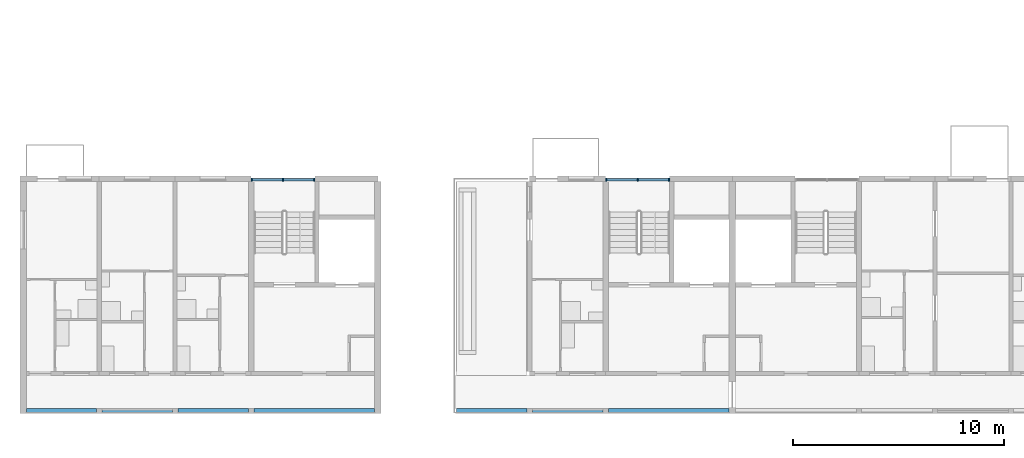
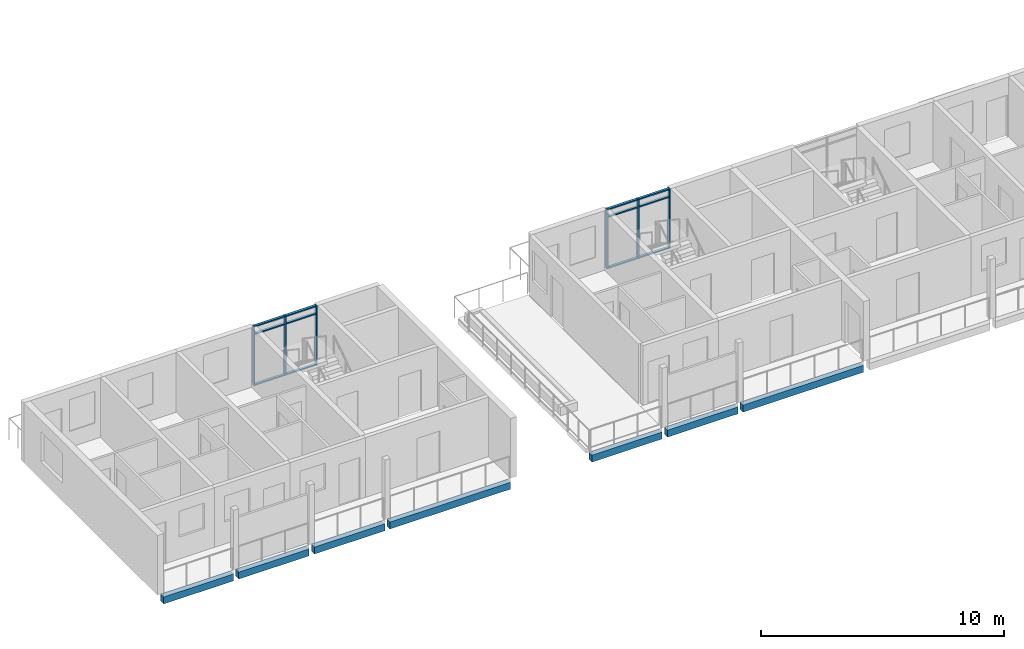
# One storey, part 4 of 64: 18 members, 7 beams, 2 elements without a shape of their own.
"""IFC4 building model written with IfcOpenShell, lengths in metres."""

from ifc_helpers import new_model, si_unit, direction, frame, origin, origin_2d, place, context, subcontext, project, spatial, rectangle, extrude, material, material_profile, profile_set, type_object, element, aggregate, save


model = new_model("IFC4")

# Units and contexts
model_context = context("Model", 3, precision=1e-05, world=origin(), true_north=direction((0.0, 1.0)))
body_context = subcontext(model_context, "Body", "Model", "MODEL_VIEW")
ifc_project = project(units=[si_unit("LENGTHUNIT", "METRE"), si_unit("AREAUNIT", "SQUARE_METRE"), si_unit("VOLUMEUNIT", "CUBIC_METRE"), si_unit("PLANEANGLEUNIT", "RADIAN"), si_unit("MASSUNIT", "GRAM", prefix="KILO")], contexts=[model_context])

# Site, building, storey
site_placement = place(None, origin())
site = spatial("IfcSite", under=ifc_project, at=site_placement, CompositionType="ELEMENT")
building_placement = place(site_placement, origin())
building = spatial("IfcBuilding", under=site, at=building_placement, Name="Ridgestep Commons", CompositionType="ELEMENT")
storey_placement = place(building_placement, frame((0.0, 0.0, 33.0)))
storey = spatial("IfcBuildingStorey", under=building, at=storey_placement, Name="L11", CompositionType="ELEMENT", Elevation=33.0)

# Beams
ifc_material_1 = material(Name="Precast concrete C40/50", Category="concrete")
ifc_material_profile_1 = material_profile(ifc_material_1, rectangle(XDim=0.25, YDim=0.35009765625, at=origin_2d()), Name="PC 250x350")
ifc_profile_set_1 = profile_set([ifc_material_profile_1], Name="Precast concrete C40/50")
beam_type = type_object("IfcBeamType", Name="Loggia edge beam 250 x 350", PredefinedType="SPANDREL", material=ifc_profile_set_1)
beam_1_placement = place(storey_placement, frame((12.14990234375, 11.875, -0.375), z_axis=(1.0, 0.0, 0.0), x_axis=(0.0, 1.0, 0.0)))
element("IfcBeam", 1, at=beam_1_placement, inside=storey, type_object=beam_type, Name="Loggia edge beam A1T1 L11", PredefinedType="SPANDREL", context=body_context, shape_type="SweptSolid", body=[
    extrude(rectangle(XDim=0.25, YDim=0.35009765625, at=origin_2d()), origin(), (0.0, 0.0, 1.0), 3.3251953125),
])
beam_2_placement = place(storey_placement, frame((15.72509765625, 11.875, -0.375), z_axis=(1.0, 0.0, 0.0), x_axis=(0.0, 1.0, 0.0)))
element("IfcBeam", 2, at=beam_2_placement, inside=storey, type_object=beam_type, Name="Loggia edge beam A1T2 L11", PredefinedType="SPANDREL", context=body_context, shape_type="SweptSolid", body=[
    extrude(rectangle(XDim=0.25, YDim=0.35009765625, at=origin_2d()), origin(), (0.0, 0.0, 1.0), 3.349853515625),
])
beam_3_placement = place(storey_placement, frame((19.324951171875, 11.875, -0.375), z_axis=(1.0, 0.0, 0.0), x_axis=(0.0, 1.0, 0.0)))
element("IfcBeam", 3, at=beam_3_placement, inside=storey, type_object=beam_type, Name="Loggia edge beam A1T3 L11", PredefinedType="SPANDREL", context=body_context, shape_type="SweptSolid", body=[
    extrude(rectangle(XDim=0.25, YDim=0.35009765625, at=origin_2d()), origin(), (0.0, 0.0, 1.0), 3.35009765625),
])
beam_4_placement = place(storey_placement, frame((22.925048828125, 11.875, -0.375), z_axis=(1.0, 0.0, 0.0), x_axis=(0.0, 1.0, 0.0)))
element("IfcBeam", 4, at=beam_4_placement, inside=storey, type_object=beam_type, Name="Loggia edge beam A1C L11", PredefinedType="SPANDREL", context=body_context, shape_type="SweptSolid", body=[
    extrude(rectangle(XDim=0.25, YDim=0.35009765625, at=origin_2d()), origin(), (0.0, 0.0, 1.0), 5.724853515625),
])
for number, where, z_axis, x_axis, name in (
    (5, (32.52490234375, 11.875, -0.375), (1.0, 0.0, 0.0), (0.0, 1.0, 0.0), "Loggia edge beam A2T2 L11"),
    (6, (36.125, 11.875, -0.375), (1.0, 0.0, 0.0), (0.0, 1.0, 0.0), "Loggia edge beam A2T3 L11"),
):
    element("IfcBeam", number, at=place(storey_placement, frame(where, z_axis=z_axis, x_axis=x_axis)), inside=storey, type_object=beam_type, Name=name, PredefinedType="SPANDREL", context=body_context, shape_type="SweptSolid", body=[
        extrude(rectangle(XDim=0.25, YDim=0.35009765625, at=origin_2d()), origin(), (0.0, 0.0, 1.0), 3.35009765625),
    ])
beam_5_placement = place(storey_placement, frame((39.72509765625, 11.875, -0.375), z_axis=(1.0, 0.0, 0.0), x_axis=(0.0, 1.0, 0.0)))
element("IfcBeam", 7, at=beam_5_placement, inside=storey, type_object=beam_type, Name="Loggia edge beam A2C L11", PredefinedType="SPANDREL", context=body_context, shape_type="SweptSolid", body=[
    extrude(rectangle(XDim=0.25, YDim=0.35009765625, at=origin_2d()), origin(), (0.0, 0.0, 1.0), 5.724853515625),
])

# Curtain wall, members
ifc_material_2 = material(Name="Aluminium 6063-T6 and glass", Category="aluminium")
curtain_wall_type = type_object("IfcCurtainWallType", Name="Curtain wall stair strip", PredefinedType="NOTDEFINED", material=ifc_material_2)
curtain_wall_1_placement = place(storey_placement, origin())
curtain_wall_1 = element("IfcCurtainWall", 8, at=curtain_wall_1_placement, inside=storey, type_object=curtain_wall_type, Name="Curtain wall A1C level 11", PredefinedType="NOTDEFINED")
ifc_material_3 = material(Name="Aluminium 6063-T6", Category="aluminium")
ifc_material_profile_2 = material_profile(ifc_material_3, rectangle(XDim=0.159912109375, YDim=0.06005859375, at=origin_2d()), Name="Mullion 60 x 160")
ifc_profile_set_2 = profile_set([ifc_material_profile_2], Name="Aluminium 6063-T6")
member_type_1 = type_object("IfcMemberType", Name="Mullion 60 x 160", PredefinedType="MULLION", material=ifc_profile_set_2)
member_1_placement = place(storey_placement, frame((22.830078125, 22.830078125, 0.0), z_axis=(0.0, 0.0, 1.0), x_axis=(0.0, 1.0, 0.0)))
member_1 = element("IfcMember", 9, at=member_1_placement, type_object=member_type_1, Name="CW1 mullion 1", PredefinedType="MULLION", context=body_context, shape_type="SweptSolid", body=[
    extrude(rectangle(XDim=0.159912109375, YDim=0.06005859375, at=origin_2d()), origin(), (0.0, 0.0, 1.0), 3.0),
])
member_2_placement = place(storey_placement, frame((24.3125, 22.830078125, 0.0), z_axis=(0.0, 0.0, 1.0), x_axis=(0.0, 1.0, 0.0)))
member_2 = element("IfcMember", 10, at=member_2_placement, type_object=member_type_1, Name="CW1 mullion 2", PredefinedType="MULLION", context=body_context, shape_type="SweptSolid", body=[
    extrude(rectangle(XDim=0.159912109375, YDim=0.06005859375, at=origin_2d()), origin(), (0.0, 0.0, 1.0), 3.0),
])
member_3_placement = place(storey_placement, frame((25.794921875, 22.830078125, 0.0), z_axis=(0.0, 0.0, 1.0), x_axis=(0.0, 1.0, 0.0)))
member_3 = element("IfcMember", 11, at=member_3_placement, type_object=member_type_1, Name="CW1 mullion 3", PredefinedType="MULLION", context=body_context, shape_type="SweptSolid", body=[
    extrude(rectangle(XDim=0.159912109375, YDim=0.06005859375, at=origin_2d()), origin(), (0.0, 0.0, 1.0), 3.0),
])

curtain_wall_2_placement = place(storey_placement, origin())
curtain_wall_2 = element("IfcCurtainWall", 12, at=curtain_wall_2_placement, inside=storey, type_object=curtain_wall_type, Name="Curtain wall A2C level 11", PredefinedType="NOTDEFINED")
member_4_placement = place(storey_placement, frame((39.6298828125, 22.830078125, 0.0), z_axis=(0.0, 0.0, 1.0), x_axis=(0.0, 1.0, 0.0)))
member_4 = element("IfcMember", 13, at=member_4_placement, type_object=member_type_1, Name="CW1 mullion 1", PredefinedType="MULLION", context=body_context, shape_type="SweptSolid", body=[
    extrude(rectangle(XDim=0.159912109375, YDim=0.06005859375, at=origin_2d()), origin(), (0.0, 0.0, 1.0), 3.0),
])
member_5_placement = place(storey_placement, frame((41.112548828125, 22.830078125, 0.0), z_axis=(0.0, 0.0, 1.0), x_axis=(0.0, 1.0, 0.0)))
member_5 = element("IfcMember", 14, at=member_5_placement, type_object=member_type_1, Name="CW1 mullion 2", PredefinedType="MULLION", context=body_context, shape_type="SweptSolid", body=[
    extrude(rectangle(XDim=0.159912109375, YDim=0.06005859375, at=origin_2d()), origin(), (0.0, 0.0, 1.0), 3.0),
])
member_6_placement = place(storey_placement, frame((42.594970703125, 22.830078125, 0.0), z_axis=(0.0, 0.0, 1.0), x_axis=(0.0, 1.0, 0.0)))
member_6 = element("IfcMember", 15, at=member_6_placement, type_object=member_type_1, Name="CW1 mullion 3", PredefinedType="MULLION", context=body_context, shape_type="SweptSolid", body=[
    extrude(rectangle(XDim=0.159912109375, YDim=0.06005859375, at=origin_2d()), origin(), (0.0, 0.0, 1.0), 3.0),
])

# Member
ifc_material_4 = material(Name="Aluminium 6063-T6", Category="aluminium")
ifc_material_profile_3 = material_profile(ifc_material_4, rectangle(XDim=0.1201171875, YDim=0.06005859375, at=origin_2d()), Name="Transom 60 x 120")
ifc_profile_set_3 = profile_set([ifc_material_profile_3], Name="Aluminium 6063-T6")
member_type_2 = type_object("IfcMemberType", Name="Transom 60 x 120", PredefinedType="USERDEFINED", material=ifc_profile_set_3)
member_7_placement = place(storey_placement, frame((22.860107421875, 22.830078125, 0.030029296875), z_axis=(1.0, 0.0, 0.0), x_axis=(0.0, 1.0, 0.0)))
member_7 = element("IfcMember", 16, at=member_7_placement, type_object=member_type_2, Name="CW1 transom 1.1", ObjectType="TRANSOM", PredefinedType="USERDEFINED", context=body_context, shape_type="SweptSolid", body=[
    extrude(rectangle(XDim=0.1201171875, YDim=0.06005859375, at=origin_2d()), origin(), (0.0, 0.0, 1.0), 1.42236328125),
])

member_8_placement = place(storey_placement, frame((22.860107421875, 22.830078125, 2.590087890625), z_axis=(1.0, 0.0, 0.0), x_axis=(0.0, 1.0, 0.0)))
member_8 = element("IfcMember", 17, at=member_8_placement, type_object=member_type_2, Name="CW1 transom 1.2", ObjectType="TRANSOM", PredefinedType="USERDEFINED", context=body_context, shape_type="SweptSolid", body=[
    extrude(rectangle(XDim=0.1201171875, YDim=0.06005859375, at=origin_2d()), origin(), (0.0, 0.0, 1.0), 1.42236328125),
])

member_9_placement = place(storey_placement, frame((22.860107421875, 22.830078125, 2.969970703125), z_axis=(1.0, 0.0, 0.0), x_axis=(0.0, 1.0, 0.0)))
member_9 = element("IfcMember", 18, at=member_9_placement, type_object=member_type_2, Name="CW1 transom 1.3", ObjectType="TRANSOM", PredefinedType="USERDEFINED", context=body_context, shape_type="SweptSolid", body=[
    extrude(rectangle(XDim=0.1201171875, YDim=0.06005859375, at=origin_2d()), origin(), (0.0, 0.0, 1.0), 1.42236328125),
])

member_10_placement = place(storey_placement, frame((24.342529296875, 22.830078125, 0.030029296875), z_axis=(1.0, 0.0, 0.0), x_axis=(0.0, 1.0, 0.0)))
member_10 = element("IfcMember", 19, at=member_10_placement, type_object=member_type_2, Name="CW1 transom 2.1", ObjectType="TRANSOM", PredefinedType="USERDEFINED", context=body_context, shape_type="SweptSolid", body=[
    extrude(rectangle(XDim=0.1201171875, YDim=0.06005859375, at=origin_2d()), origin(), (0.0, 0.0, 1.0), 1.42236328125),
])

member_11_placement = place(storey_placement, frame((24.342529296875, 22.830078125, 2.590087890625), z_axis=(1.0, 0.0, 0.0), x_axis=(0.0, 1.0, 0.0)))
member_11 = element("IfcMember", 20, at=member_11_placement, type_object=member_type_2, Name="CW1 transom 2.2", ObjectType="TRANSOM", PredefinedType="USERDEFINED", context=body_context, shape_type="SweptSolid", body=[
    extrude(rectangle(XDim=0.1201171875, YDim=0.06005859375, at=origin_2d()), origin(), (0.0, 0.0, 1.0), 1.42236328125),
])

member_12_placement = place(storey_placement, frame((24.342529296875, 22.830078125, 2.969970703125), z_axis=(1.0, 0.0, 0.0), x_axis=(0.0, 1.0, 0.0)))
member_12 = element("IfcMember", 21, at=member_12_placement, type_object=member_type_2, Name="CW1 transom 2.3", ObjectType="TRANSOM", PredefinedType="USERDEFINED", context=body_context, shape_type="SweptSolid", body=[
    extrude(rectangle(XDim=0.1201171875, YDim=0.06005859375, at=origin_2d()), origin(), (0.0, 0.0, 1.0), 1.42236328125),
])

aggregate(curtain_wall_1, [member_1, member_2, member_3, member_7, member_8, member_9, member_10, member_11, member_12])

member_13_placement = place(storey_placement, frame((39.659912109375, 22.830078125, 0.030029296875), z_axis=(1.0, 0.0, 0.0), x_axis=(0.0, 1.0, 0.0)))
member_13 = element("IfcMember", 22, at=member_13_placement, type_object=member_type_2, Name="CW1 transom 1.1", ObjectType="TRANSOM", PredefinedType="USERDEFINED", context=body_context, shape_type="SweptSolid", body=[
    extrude(rectangle(XDim=0.1201171875, YDim=0.06005859375, at=origin_2d()), origin(), (0.0, 0.0, 1.0), 1.422607421875),
])

member_14_placement = place(storey_placement, frame((39.659912109375, 22.830078125, 2.590087890625), z_axis=(1.0, 0.0, 0.0), x_axis=(0.0, 1.0, 0.0)))
member_14 = element("IfcMember", 23, at=member_14_placement, type_object=member_type_2, Name="CW1 transom 1.2", ObjectType="TRANSOM", PredefinedType="USERDEFINED", context=body_context, shape_type="SweptSolid", body=[
    extrude(rectangle(XDim=0.1201171875, YDim=0.06005859375, at=origin_2d()), origin(), (0.0, 0.0, 1.0), 1.422607421875),
])

member_15_placement = place(storey_placement, frame((39.659912109375, 22.830078125, 2.969970703125), z_axis=(1.0, 0.0, 0.0), x_axis=(0.0, 1.0, 0.0)))
member_15 = element("IfcMember", 24, at=member_15_placement, type_object=member_type_2, Name="CW1 transom 1.3", ObjectType="TRANSOM", PredefinedType="USERDEFINED", context=body_context, shape_type="SweptSolid", body=[
    extrude(rectangle(XDim=0.1201171875, YDim=0.06005859375, at=origin_2d()), origin(), (0.0, 0.0, 1.0), 1.422607421875),
])

member_16_placement = place(storey_placement, frame((41.142578125, 22.830078125, 0.030029296875), z_axis=(1.0, 0.0, 0.0), x_axis=(0.0, 1.0, 0.0)))
member_16 = element("IfcMember", 25, at=member_16_placement, type_object=member_type_2, Name="CW1 transom 2.1", ObjectType="TRANSOM", PredefinedType="USERDEFINED", context=body_context, shape_type="SweptSolid", body=[
    extrude(rectangle(XDim=0.1201171875, YDim=0.06005859375, at=origin_2d()), origin(), (0.0, 0.0, 1.0), 1.42236328125),
])

member_17_placement = place(storey_placement, frame((41.142578125, 22.830078125, 2.590087890625), z_axis=(1.0, 0.0, 0.0), x_axis=(0.0, 1.0, 0.0)))
member_17 = element("IfcMember", 26, at=member_17_placement, type_object=member_type_2, Name="CW1 transom 2.2", ObjectType="TRANSOM", PredefinedType="USERDEFINED", context=body_context, shape_type="SweptSolid", body=[
    extrude(rectangle(XDim=0.1201171875, YDim=0.06005859375, at=origin_2d()), origin(), (0.0, 0.0, 1.0), 1.42236328125),
])

member_18_placement = place(storey_placement, frame((41.142578125, 22.830078125, 2.969970703125), z_axis=(1.0, 0.0, 0.0), x_axis=(0.0, 1.0, 0.0)))
member_18 = element("IfcMember", 27, at=member_18_placement, type_object=member_type_2, Name="CW1 transom 2.3", ObjectType="TRANSOM", PredefinedType="USERDEFINED", context=body_context, shape_type="SweptSolid", body=[
    extrude(rectangle(XDim=0.1201171875, YDim=0.06005859375, at=origin_2d()), origin(), (0.0, 0.0, 1.0), 1.42236328125),
])

aggregate(curtain_wall_2, [member_4, member_5, member_6, member_13, member_14, member_15, member_16, member_17, member_18])

save(model, "model.ifc")
